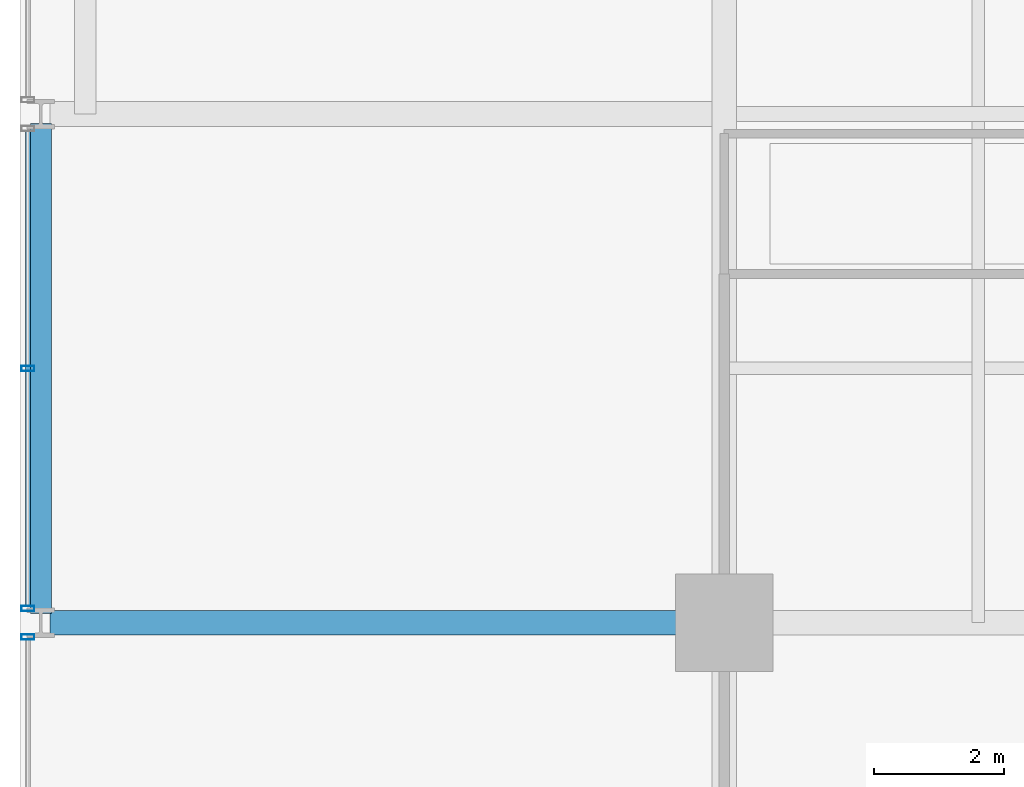
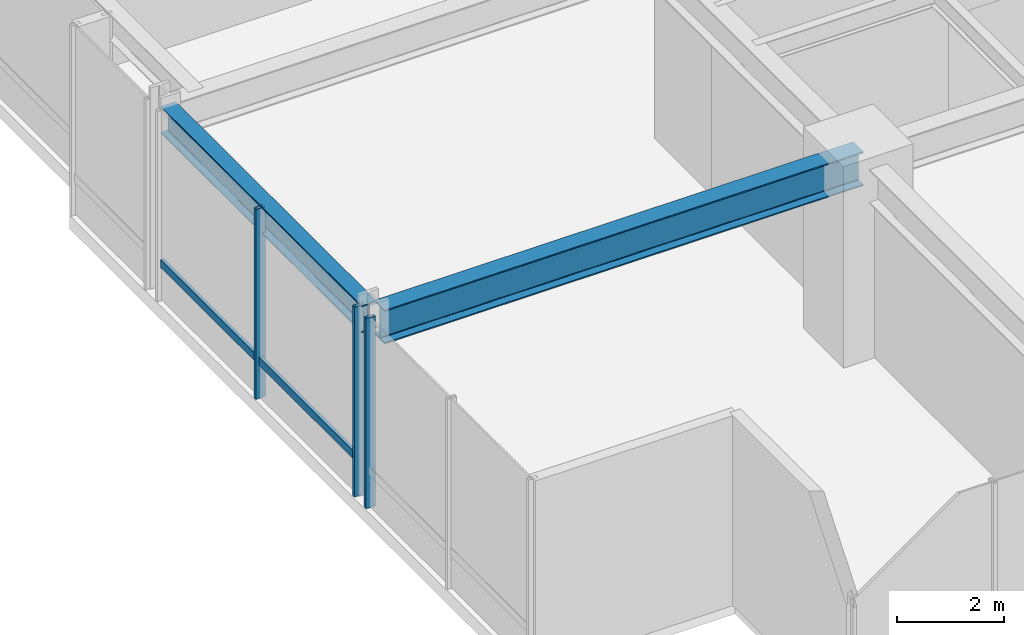
# One storey, part 4 of 33: 4 members, 2 beams, 2 elements without a shape of their own.
"""IFC4 building model written with IfcOpenShell, lengths in metres."""

import ifcopenshell
import ifcopenshell.guid

model = None  # the IFC model being written
_history = None  # IfcOwnerHistory: only IFC2X3 demands one
_inside = {}  # id of a spatial element -> (the spatial element, [elements in it])
_under = {}  # id of a project, library or spatial element -> (it, [spatial elements below it])
_declared = {}  # id of a project -> (the project, [libraries it declares])
_typed = {}  # id of a type object -> (the type object, [elements of that type])
_made_of = {}  # id of a material, layer set ... -> (it, [elements and type objects made of it])


def new_model(schema):
    """Start an empty IFC model of exactly this schema.

    Asked for "IFC4X3", IfcOpenShell would pick the latest addendum, in which some entities
    have other attributes; the version numbers below select the first issue.
    IFC2X3 requires an IfcOwnerHistory on every rooted entity: one is made here for all.
    """
    global model, _history
    if schema == "IFC4X3":
        model = ifcopenshell.file(schema_version=(4, 3, 0, 0))
    else:
        model = ifcopenshell.file(schema=schema)
    _inside.clear()
    _under.clear()
    _declared.clear()
    _typed.clear()
    _made_of.clear()
    _history = None
    if model.schema == "IFC2X3":
        org = make("IfcOrganization", Name="unknown")
        user = make(
            "IfcPersonAndOrganization",
            ThePerson=make("IfcPerson", FamilyName="unknown"),
            TheOrganization=org,
        )
        app = make(
            "IfcApplication",
            ApplicationDeveloper=org,
            Version="unknown",
            ApplicationFullName="unknown",
            ApplicationIdentifier="unknown",
        )
        _history = make(
            "IfcOwnerHistory",
            OwningUser=user,
            OwningApplication=app,
            ChangeAction="ADDED",
            CreationDate=0,
        )
    return model


def make(cls, **values):
    """One entity of the class cls with the attributes given. An attribute that is None is left unset."""
    return model.create_entity(
        cls, **{name: value for name, value in values.items() if value is not None}
    )


def rooted(cls, **values):
    """An entity with a GlobalId (a new one), such as an element, a storey or a relation."""
    return make(cls, GlobalId=ifcopenshell.guid.new(), OwnerHistory=_history, **values)


def si_unit(unit_type, name, prefix=None):
    """IfcSIUnit, for example si_unit("LENGTHUNIT", "METRE", prefix="MILLI")."""
    return make("IfcSIUnit", UnitType=unit_type, Prefix=prefix, Name=name)


def assignment(units):
    """IfcUnitAssignment: the units of a project."""
    return None if units is None else make("IfcUnitAssignment", Units=units)


def point(xyz):
    """IfcCartesianPoint."""
    return None if xyz is None else make("IfcCartesianPoint", Coordinates=xyz)


def direction(xyz):
    """IfcDirection."""
    return None if xyz is None else make("IfcDirection", DirectionRatios=xyz)


def frame(location, z_axis=None, x_axis=None):
    """IfcAxis2Placement3D, a coordinate frame: its origin and axes. An axis left out is left unset."""
    return make(
        "IfcAxis2Placement3D",
        Location=point(location),
        Axis=direction(z_axis),
        RefDirection=direction(x_axis),
    )


def frame_2d(location, x_axis=None):
    """IfcAxis2Placement2D, a coordinate frame in the plane: its origin and x axis."""
    return make(
        "IfcAxis2Placement2D", Location=point(location), RefDirection=direction(x_axis)
    )


def origin():
    """The frame at (0, 0, 0) with its axes left unset."""
    return frame((0.0, 0.0, 0.0))


def origin_2d():
    """The frame at (0, 0) in the plane with its x axis left unset."""
    return frame_2d((0.0, 0.0))


def place(relative_to, where):
    """IfcLocalPlacement: puts the frame where relative to a parent placement (None: the world)."""
    return make(
        "IfcLocalPlacement", PlacementRelTo=relative_to, RelativePlacement=where
    )


def context(
    kind, dimensions, precision=None, world=None, true_north=None, identifier=None
):
    """IfcGeometricRepresentationContext, for example the 3D "Model" context."""
    return make(
        "IfcGeometricRepresentationContext",
        ContextIdentifier=identifier,
        ContextType=kind,
        CoordinateSpaceDimension=dimensions,
        Precision=precision,
        WorldCoordinateSystem=world,
        TrueNorth=true_north,
    )


def subcontext(parent, identifier, kind, view, scale=None):
    """IfcGeometricRepresentationSubContext, for example "Body" below "Model"."""
    return make(
        "IfcGeometricRepresentationSubContext",
        ContextIdentifier=identifier,
        ContextType=kind,
        ParentContext=parent,
        TargetScale=scale,
        TargetView=view,
    )


def project(units=None, contexts=None):
    """IfcProject with its units and contexts."""
    return rooted(
        "IfcProject",
        Name="project",
        RepresentationContexts=contexts,
        UnitsInContext=assignment(units),
    )


def spatial(cls, under=None, at=None, **own):
    """A site, building, storey or space (cls), placed at a placement, below another one or the project."""
    s = rooted(cls, ObjectPlacement=at, **own)
    if under is not None:
        _under.setdefault(under.id(), (under, []))[1].append(s)
    return s


def profile(cls, at=None, kind="AREA", **sizes):
    """A parametric profile (cls). Its sizes go by their IFC names, for example OverallWidth=200.0."""
    return make(cls, ProfileType=kind, Position=at, **sizes)


def hollow_rectangle(**sizes):
    """IfcRectangleHollowProfileDef."""
    return profile("IfcRectangleHollowProfileDef", **sizes)


def i_section(**sizes):
    """IfcIShapeProfileDef."""
    return profile("IfcIShapeProfileDef", **sizes)


def extrude(swept, where, along, depth):
    """IfcExtrudedAreaSolid: the profile swept, set in the frame where, extruded along a direction by depth."""
    return make(
        "IfcExtrudedAreaSolid",
        SweptArea=swept,
        Position=where,
        ExtrudedDirection=direction(along),
        Depth=depth,
    )


def shape(context_of_items, identifier, shape_type, items):
    """IfcShapeRepresentation: the items that make up one representation, for example the "Body"."""
    return make(
        "IfcShapeRepresentation",
        ContextOfItems=context_of_items,
        RepresentationIdentifier=identifier,
        RepresentationType=shape_type,
        Items=items,
    )


def material(Name=None, Category=None):
    """IfcMaterial."""
    return make("IfcMaterial", Name=Name, Category=Category)


def layer(
    of_material, thickness, ventilated=None, Name=None, Category=None, Priority=None
):
    """IfcMaterialLayer: one layer of a wall or slab, of a material (None: an air gap)."""
    return make(
        "IfcMaterialLayer",
        Material=of_material,
        LayerThickness=thickness,
        IsVentilated=ventilated,
        Name=Name,
        Category=Category,
        Priority=Priority,
    )


def layer_set(layers, Name=None):
    """IfcMaterialLayerSet."""
    return make("IfcMaterialLayerSet", MaterialLayers=layers, LayerSetName=Name)


def material_profile(
    of_material, cross_section, Name=None, Category=None, Priority=None
):
    """IfcMaterialProfile: a cross section and its material."""
    return make(
        "IfcMaterialProfile",
        Name=Name,
        Material=of_material,
        Profile=cross_section,
        Priority=Priority,
        Category=Category,
    )


def profile_set(profiles, Name=None, composite=None):
    """IfcMaterialProfileSet."""
    return make(
        "IfcMaterialProfileSet",
        Name=Name,
        MaterialProfiles=profiles,
        CompositeProfile=composite,
    )


def made_of(thing, what):
    """Note that an element or type object is made of a material, layer set ...; save() writes the relation."""
    if what is not None:
        _made_of.setdefault(what.id(), (what, []))[1].append(thing)
    return thing


def type_object(cls, material=None, **own):
    """A type object (cls), such as IfcWallType, which elements share."""
    return made_of(rooted(cls, **own), material)


def element(
    cls,
    number,
    at=None,
    inside=None,
    cuts=None,
    type_object=None,
    material=None,
    context=None,
    identifier="Body",
    shape_type=None,
    held_by="IfcProductDefinitionShape",
    body=None,
    shapes=None,
    **own,
):
    """One element of the class cls, such as IfcWall. Its Tag is "e" and its number.

    at: its placement. inside: the storey or other place that contains it. cuts: it is an
    opening in that element (IfcRelVoidsElement). A single representation is given by context,
    identifier, shape_type and body (its items); several are given by shapes. held_by: the class
    of the entity that holds the representations. save() writes the other relations.
    """
    e = rooted(cls, Tag="e%d" % number, ObjectPlacement=at, **own)
    if body is not None:
        shapes = [shape(context, identifier, shape_type, body)]
    if shapes is not None:
        e.Representation = make(held_by, Representations=shapes)
    if inside is not None:
        _inside.setdefault(inside.id(), (inside, []))[1].append(e)
    if cuts is not None:
        rooted(
            "IfcRelVoidsElement", RelatingBuildingElement=cuts, RelatedOpeningElement=e
        )
    if type_object is not None:
        _typed.setdefault(type_object.id(), (type_object, []))[1].append(e)
    return made_of(e, material)


def aggregate(whole, parts):
    """IfcRelAggregates: a whole, such as a stair, and the parts it consists of."""
    return rooted("IfcRelAggregates", RelatingObject=whole, RelatedObjects=parts)


def save(model, path):
    """Write the relations noted so far, then the file.

    IfcRelAggregates (storeys below a building ...), IfcRelContainedInSpatialStructure (elements
    in a storey), IfcRelDefinesByType, IfcRelAssociatesMaterial and IfcRelDeclares: one each for
    every whole, place, type object, material and project.
    """
    for whole, parts in _under.values():
        aggregate(whole, parts)
    for where, things in _inside.values():
        rooted(
            "IfcRelContainedInSpatialStructure",
            RelatedElements=things,
            RelatingStructure=where,
        )
    for kind, things in _typed.values():
        rooted("IfcRelDefinesByType", RelatedObjects=things, RelatingType=kind)
    for what, things in _made_of.values():
        rooted("IfcRelAssociatesMaterial", RelatedObjects=things, RelatingMaterial=what)
    for by, libraries in _declared.values():
        rooted("IfcRelDeclares", RelatingContext=by, RelatedDefinitions=libraries)
    model.write(path)


model = new_model("IFC4")

# Units and contexts
model_context = context("Model", 3, precision=1e-05, world=origin(), true_north=direction((0.0, 1.0)))
body_context = subcontext(model_context, "Body", "Model", "MODEL_VIEW")
ifc_project = project(units=[si_unit("LENGTHUNIT", "METRE"), si_unit("AREAUNIT", "SQUARE_METRE"), si_unit("VOLUMEUNIT", "CUBIC_METRE"), si_unit("PLANEANGLEUNIT", "RADIAN"), si_unit("MASSUNIT", "GRAM", prefix="KILO")], contexts=[model_context])

# Site, building, storey
site_placement = place(None, origin())
site = spatial("IfcSite", under=ifc_project, at=site_placement, CompositionType="ELEMENT")
building_placement = place(site_placement, origin())
building = spatial("IfcBuilding", under=site, at=building_placement, Name="Drelvath Grand Hotel", CompositionType="ELEMENT")
storey_placement = place(building_placement, frame((0.0, 0.0, 87.199951171875)))
storey = spatial("IfcBuildingStorey", under=building, at=storey_placement, Name="L21", CompositionType="ELEMENT", Elevation=87.199951171875)

# Curtain wall, member
ifc_material_1 = material(Name="Champagne Bronze Anodised Aluminium Frame", Category="aluminium")
ifc_layer = layer(ifc_material_1, 0.199951171875)
ifc_layer_set = layer_set([ifc_layer], Name="Champagne Bronze Anodised Aluminium Frame")
curtain_wall_type = type_object("IfcCurtainWallType", Name="Stick Curtain Wall CW-03 Champagne Bronze Mid-Rise", PredefinedType="NOTDEFINED", material=ifc_layer_set)
curtain_wall_1_placement = place(storey_placement, origin())
curtain_wall_1 = element("IfcCurtainWall", 1, at=curtain_wall_1_placement, inside=storey, type_object=curtain_wall_type, Name="L21 CW-03 Curtain Wall CW03-L21-WS2", PredefinedType="NOTDEFINED")
ifc_material_profile_1 = material_profile(ifc_material_1, hollow_rectangle(XDim=0.074951171875, YDim=0.179931640625, WallThickness=0.0048828125, at=origin_2d()), Name="HSS180X75X5")
ifc_profile_set_1 = profile_set([ifc_material_profile_1], Name="Champagne Bronze Anodised Aluminium Frame")
member_type_1 = type_object("IfcMemberType", Name="Curtain Wall Horizontal Transom CW-03 HSS180X75X5", PredefinedType="USERDEFINED", material=ifc_profile_set_1)
member_1_placement = place(storey_placement, frame((-26.8798828125, 11.0595703125, 0.85009765625), z_axis=(0.0, 1.0, 0.0), x_axis=(-1.0, 0.0, 0.0)))
member_1 = element("IfcMember", 2, at=member_1_placement, type_object=member_type_1, Name="CW03-L21-WS2 Sill Transom", ObjectType="TRANSOM", PredefinedType="USERDEFINED", context=body_context, shape_type="SweptSolid", body=[
    extrude(hollow_rectangle(XDim=0.074951171875, YDim=0.179931640625, WallThickness=0.0048828125, at=origin_2d()), origin(), (0.0, 0.0, 1.0), 7.28076171875),
])

curtain_wall_2_placement = place(storey_placement, origin())
curtain_wall_2 = element("IfcCurtainWall", 3, at=curtain_wall_2_placement, inside=storey, type_object=curtain_wall_type, Name="L21 CW-03 Curtain Wall CW03-L21-WS1", PredefinedType="NOTDEFINED")
ifc_material_profile_2 = material_profile(ifc_material_1, hollow_rectangle(XDim=0.080078125, YDim=0.199951171875, WallThickness=0.0048828125, at=origin_2d()), Name="HSS200X80X5")
ifc_profile_set_2 = profile_set([ifc_material_profile_2], Name="Champagne Bronze Anodised Aluminium Frame")
member_type_2 = type_object("IfcMemberType", Name="Curtain Wall Vertical Mullion CW-03 HSS200X80X5", PredefinedType="MULLION", material=ifc_profile_set_2)
member_2_placement = place(storey_placement, frame((-26.8798828125, 10.580322265625, 0.0), z_axis=(0.0, 0.0, 1.0), x_axis=(0.0, 1.0, 0.0)))
member_2 = element("IfcMember", 4, at=member_2_placement, type_object=member_type_2, Name="CW03-L21-WS1 Mullion 3", PredefinedType="MULLION", context=body_context, shape_type="SweptSolid", body=[
    extrude(hollow_rectangle(XDim=0.080078125, YDim=0.199951171875, WallThickness=0.0048828125, at=origin_2d()), origin(), (0.0, 0.0, 1.0), 4.340087890625),
])
aggregate(curtain_wall_2, [member_2])

# Member
member_3_placement = place(storey_placement, frame((-26.8798828125, 11.01953125, 0.0), z_axis=(0.0, 0.0, 1.0), x_axis=(0.0, 1.0, 0.0)))
member_3 = element("IfcMember", 5, at=member_3_placement, type_object=member_type_2, Name="CW03-L21-WS2 Mullion 1", PredefinedType="MULLION", context=body_context, shape_type="SweptSolid", body=[
    extrude(hollow_rectangle(XDim=0.080078125, YDim=0.199951171875, WallThickness=0.0048828125, at=origin_2d()), origin(), (0.0, 0.0, 1.0), 4.340087890625),
])

member_4_placement = place(storey_placement, frame((-26.8798828125, 14.699951171875, 0.0), z_axis=(0.0, 0.0, 1.0), x_axis=(0.0, 1.0, 0.0)))
member_4 = element("IfcMember", 6, at=member_4_placement, type_object=member_type_2, Name="CW03-L21-WS2 Mullion 2", PredefinedType="MULLION", context=body_context, shape_type="SweptSolid", body=[
    extrude(hollow_rectangle(XDim=0.080078125, YDim=0.199951171875, WallThickness=0.0048828125, at=origin_2d()), origin(), (0.0, 0.0, 1.0), 4.340087890625),
])

aggregate(curtain_wall_1, [member_3, member_4, member_1])

# Beams
ifc_material_2 = material(Name="Steel ASTM A992 Gr 50", Category="steel")
ifc_material_profile_3 = material_profile(ifc_material_2, i_section(OverallWidth=0.323974609375, OverallDepth=0.611083984375, WebThickness=0.0126953125, FlangeThickness=0.01904296875, FilletRadius=0.02197265625, at=origin_2d()), Name="W24X104")
ifc_profile_set_3 = profile_set([ifc_material_profile_3], Name="Steel ASTM A992 Gr 50")
beam_type_1 = type_object("IfcBeamType", Name="Perimeter Spandrel Beam W24X104", PredefinedType="SPANDREL", material=ifc_profile_set_3)
beam_1_placement = place(storey_placement, frame((-26.679931640625, 10.93994140625, 4.03466796875), z_axis=(0.0, 1.0, 0.0), x_axis=(-1.0, 0.0, 0.0)))
element("IfcBeam", 7, at=beam_1_placement, inside=storey, type_object=beam_type_1, Name="L21 Spandrel West S", PredefinedType="SPANDREL", context=body_context, shape_type="SweptSolid", body=[
    extrude(i_section(OverallWidth=0.323974609375, OverallDepth=0.611083984375, WebThickness=0.0126953125, FlangeThickness=0.01904296875, FilletRadius=0.02197265625, at=origin_2d()), origin(), (0.0, 0.0, 1.0), 7.52001953125),
])
ifc_material_profile_4 = material_profile(ifc_material_2, i_section(OverallWidth=0.380615234375, OverallDepth=0.773193359375, WebThickness=0.0166015625, FlangeThickness=0.027099609375, FilletRadius=0.02490234375, at=origin_2d()), Name="W30X173")
ifc_profile_set_4 = profile_set([ifc_material_profile_4], Name="Steel ASTM A992 Gr 50")
beam_type_2 = type_object("IfcBeamType", Name="Primary Floor Girder W30X173", PredefinedType="BEAM", material=ifc_profile_set_4)
beam_2_placement = place(storey_placement, frame((-26.5400390625, 10.800048828125, 3.953369140625), z_axis=(1.0, 0.0, 0.0), x_axis=(0.0, 1.0, 0.0)))
element("IfcBeam", 8, at=beam_2_placement, inside=storey, type_object=beam_type_2, Name="L21 West Grid Girder C", PredefinedType="BEAM", context=body_context, shape_type="SweptSolid", body=[
    extrude(i_section(OverallWidth=0.380615234375, OverallDepth=0.773193359375, WebThickness=0.0166015625, FlangeThickness=0.027099609375, FilletRadius=0.02490234375, at=origin_2d()), origin(), (0.0, 0.0, 1.0), 10.340087890625),
])

save(model, "model.ifc")
